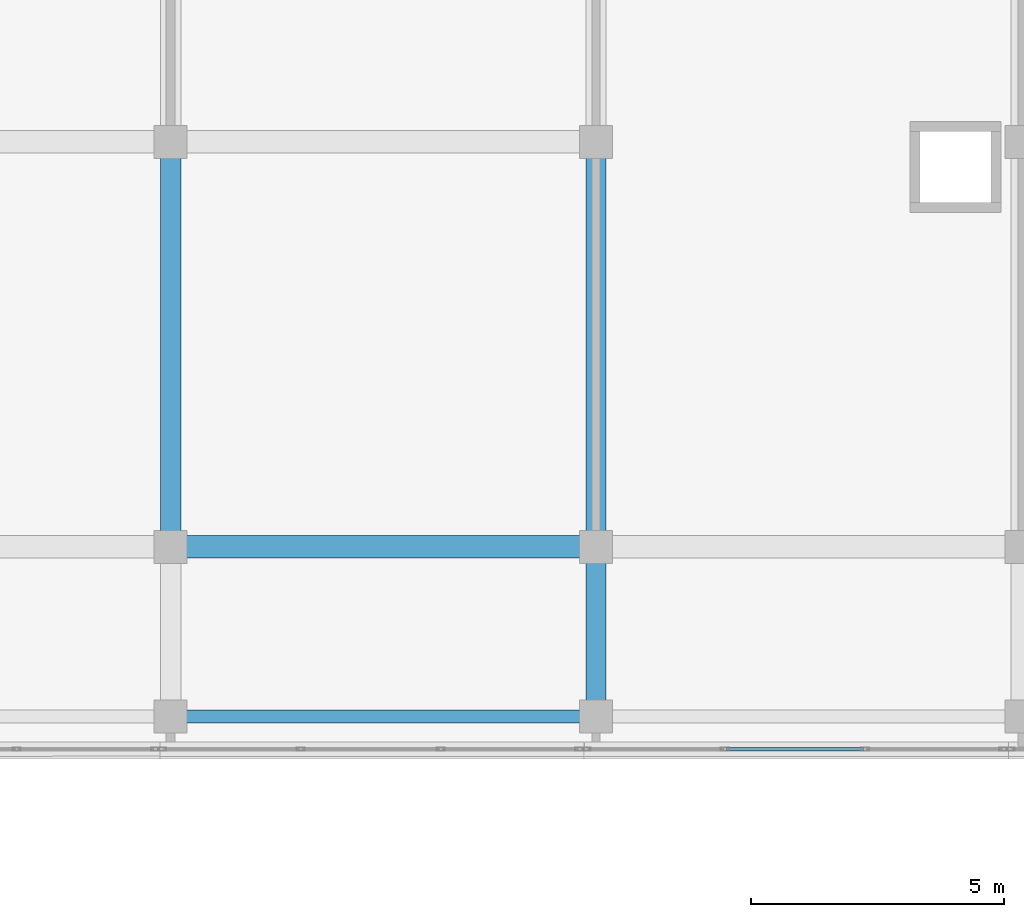
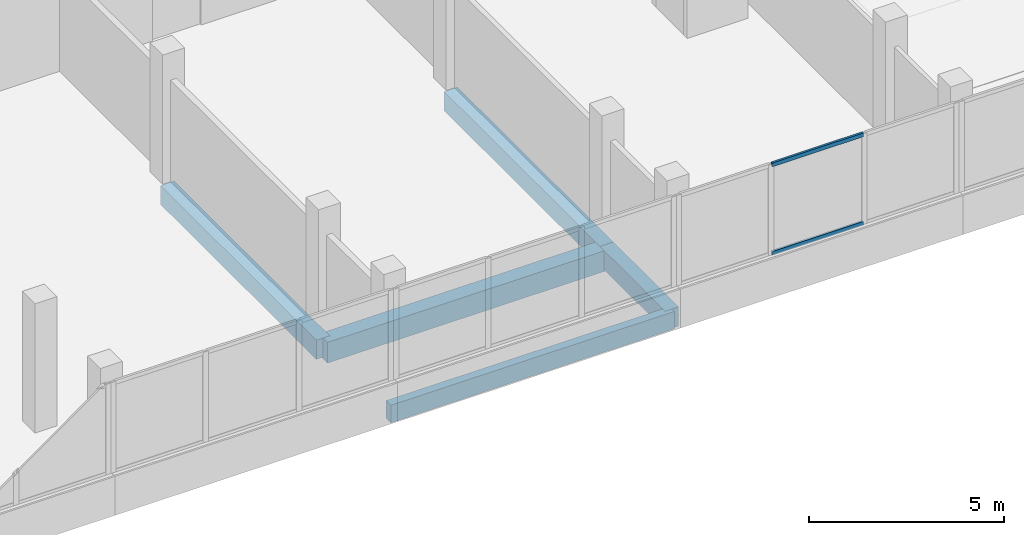
# One storey, part 32 of 76: 5 beams, 2 members, 1 element without a shape of its own.
"""IFC4 building model written with IfcOpenShell, lengths in metres."""

from ifc_helpers import new_model, si_unit, direction, frame, origin, origin_2d, place, context, subcontext, project, spatial, rectangle, hollow_rectangle, extrude, material, material_profile, profile_set, type_object, element, aggregate, save


model = new_model("IFC4")

# Units and contexts
model_context = context("Model", 3, precision=1e-05, world=origin(), true_north=direction((0.0, 1.0)))
body_context = subcontext(model_context, "Body", "Model", "MODEL_VIEW")
ifc_project = project(units=[si_unit("LENGTHUNIT", "METRE"), si_unit("AREAUNIT", "SQUARE_METRE"), si_unit("VOLUMEUNIT", "CUBIC_METRE"), si_unit("PLANEANGLEUNIT", "RADIAN"), si_unit("MASSUNIT", "GRAM", prefix="KILO")], contexts=[model_context])

# Site, building, storey
site_placement = place(None, origin())
site = spatial("IfcSite", under=ifc_project, at=site_placement, CompositionType="ELEMENT")
building_placement = place(site_placement, origin())
building = spatial("IfcBuilding", under=site, at=building_placement, Name="Selatvlak General Hospital", CompositionType="ELEMENT")
storey_placement = place(building_placement, frame((0.0, 0.0, 27.300048828125)))
storey = spatial("IfcBuildingStorey", under=building, at=storey_placement, Name="L06", CompositionType="ELEMENT", Elevation=27.300048828125)

# Beams
ifc_material_1 = material(Name="Concrete C40/50", Category="concrete")
ifc_material_profile_1 = material_profile(ifc_material_1, rectangle(XDim=0.449951171875, YDim=0.64990234375, at=origin_2d()), Name="RC-BM 450x650")
ifc_profile_set_1 = profile_set([ifc_material_profile_1], Name="Concrete C40/50")
beam_type_1 = type_object("IfcBeamType", Name="BM-G04", PredefinedType="BEAM", material=ifc_profile_set_1)
beam_1_placement = place(storey_placement, frame((106.800048828125, 92.0, -0.60009765625), z_axis=(1.0, 0.0, 0.0), x_axis=(0.0, 1.0, 0.0)))
element("IfcBeam", 1, at=beam_1_placement, inside=storey, type_object=beam_type_1, Name="Beam BMR-L06-2172", PredefinedType="BEAM", context=body_context, shape_type="SweptSolid", body=[
    extrude(rectangle(XDim=0.449951171875, YDim=0.64990234375, at=origin_2d()), origin(), (0.0, 0.0, 1.0), 8.39990234375),
])
ifc_material_profile_2 = material_profile(ifc_material_1, rectangle(XDim=0.39990234375, YDim=0.60009765625, at=origin_2d()), Name="RC-BM 400x600")
ifc_profile_set_2 = profile_set([ifc_material_profile_2], Name="Concrete C40/50")
beam_type_2 = type_object("IfcBeamType", Name="BM-G05", PredefinedType="BEAM", material=ifc_profile_set_2)
beam_2_placement = place(storey_placement, frame((106.800048828125, 92.0, -0.574951171875), z_axis=(0.0, 1.0, 0.0), x_axis=(-1.0, 0.0, 0.0)))
element("IfcBeam", 2, at=beam_2_placement, inside=storey, type_object=beam_type_2, Name="Beam BMR-L06-2294", PredefinedType="BEAM", context=body_context, shape_type="SweptSolid", body=[
    extrude(rectangle(XDim=0.39990234375, YDim=0.60009765625, at=origin_2d()), origin(), (0.0, 0.0, 1.0), 8.0),
])
beam_3_placement = place(storey_placement, frame((115.199951171875, 88.64990234375, -0.574951171875), z_axis=(0.0, 1.0, 0.0), x_axis=(-1.0, 0.0, 0.0)))
element("IfcBeam", 3, at=beam_3_placement, inside=storey, type_object=beam_type_2, Name="Beam BMR-L06-2296", PredefinedType="BEAM", context=body_context, shape_type="SweptSolid", body=[
    extrude(rectangle(XDim=0.39990234375, YDim=0.60009765625, at=origin_2d()), origin(), (0.0, 0.0, 1.0), 3.35009765625),
])
beam_4_placement = place(storey_placement, frame((115.199951171875, 92.0, -0.574951171875), z_axis=(0.0, 1.0, 0.0), x_axis=(-1.0, 0.0, 0.0)))
element("IfcBeam", 4, at=beam_4_placement, inside=storey, type_object=beam_type_2, Name="Beam BMR-L06-2297", PredefinedType="BEAM", context=body_context, shape_type="SweptSolid", body=[
    extrude(rectangle(XDim=0.39990234375, YDim=0.60009765625, at=origin_2d()), origin(), (0.0, 0.0, 1.0), 8.0),
])
ifc_material_profile_3 = material_profile(ifc_material_1, rectangle(XDim=0.25, YDim=0.550048828125, at=origin_2d()), Name="RC-SP 250x550")
ifc_profile_set_3 = profile_set([ifc_material_profile_3], Name="Concrete C40/50")
beam_type_3 = type_object("IfcBeamType", Name="BM-SP2", PredefinedType="SPANDREL", material=ifc_profile_set_3)
beam_5_placement = place(storey_placement, frame((106.800048828125, 88.64990234375, -0.550048828125), z_axis=(1.0, 0.0, 0.0), x_axis=(0.0, 1.0, 0.0)))
element("IfcBeam", 5, at=beam_5_placement, inside=storey, type_object=beam_type_3, Name="Beam BMR-L06-2153", PredefinedType="SPANDREL", context=body_context, shape_type="SweptSolid", body=[
    extrude(rectangle(XDim=0.25, YDim=0.550048828125, at=origin_2d()), origin(), (0.0, 0.0, 1.0), 8.39990234375),
])

# Curtain wall, members
ifc_material_2 = material(Name="Solar-control Low-E double glazing", Category="glass")
curtain_wall_type = type_object("IfcCurtainWallType", Name="CW-CW-01", PredefinedType="USERDEFINED", material=ifc_material_2)
curtain_wall_placement = place(storey_placement, origin())
curtain_wall = element("IfcCurtainWall", 6, at=curtain_wall_placement, inside=storey, type_object=curtain_wall_type, Name="Glazed facade curtain wall CW-L06-0627", ObjectType="UNITISED CURTAIN WALL", PredefinedType="USERDEFINED")
ifc_material_3 = material(Name="Dark anodised aluminium mullion", Category="aluminium")
ifc_material_profile_4 = material_profile(ifc_material_3, hollow_rectangle(XDim=0.06494140625, YDim=0.1201171875, WallThickness=0.00390625, at=origin_2d()), Name="AL-TRN 65x120x4")
ifc_profile_set_4 = profile_set([ifc_material_profile_4], Name="Dark anodised aluminium mullion")
member_type = type_object("IfcMemberType", Name="CWT-01", PredefinedType="USERDEFINED", material=ifc_profile_set_4)
member_1_placement = place(storey_placement, frame((120.483154296875, 88.0009765625, 0.972412109375), z_axis=(-1.0, 0.0, 0.0), x_axis=(0.0, -1.0, 0.0)))
member_1 = element("IfcMember", 7, at=member_1_placement, type_object=member_type, Name="CW-01 transom 2.1", ObjectType="TRANSOM", PredefinedType="USERDEFINED", context=body_context, shape_type="SweptSolid", body=[
    extrude(hollow_rectangle(XDim=0.06494140625, YDim=0.1201171875, WallThickness=0.00390625, at=origin_2d()), origin(), (0.0, 0.0, 1.0), 2.701416015625),
])
member_2_placement = place(storey_placement, frame((120.483154296875, 88.0009765625, 3.74755859375), z_axis=(-1.0, 0.0, 0.0), x_axis=(0.0, -1.0, 0.0)))
member_2 = element("IfcMember", 8, at=member_2_placement, type_object=member_type, Name="CW-01 transom 2.2", ObjectType="TRANSOM", PredefinedType="USERDEFINED", context=body_context, shape_type="SweptSolid", body=[
    extrude(hollow_rectangle(XDim=0.06494140625, YDim=0.1201171875, WallThickness=0.00390625, at=origin_2d()), origin(), (0.0, 0.0, 1.0), 2.701416015625),
])
aggregate(curtain_wall, [member_1, member_2])

save(model, "model.ifc")
